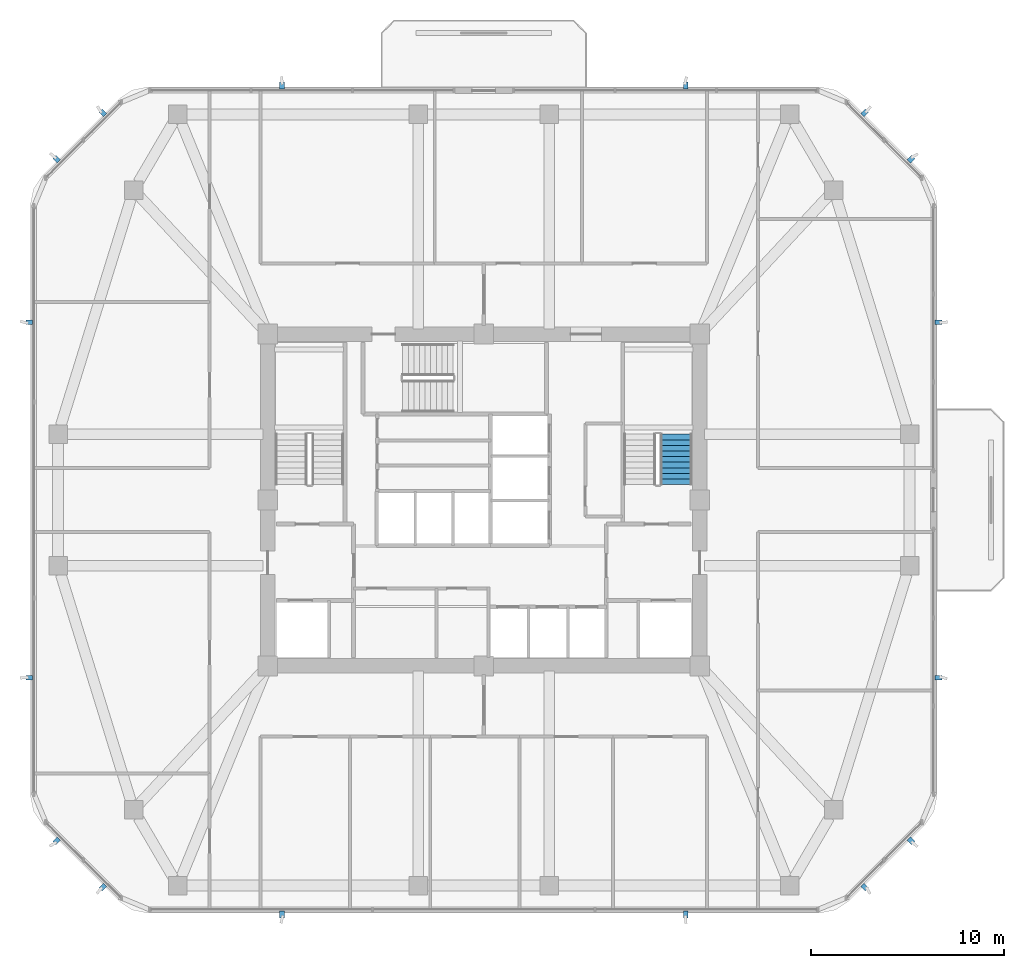
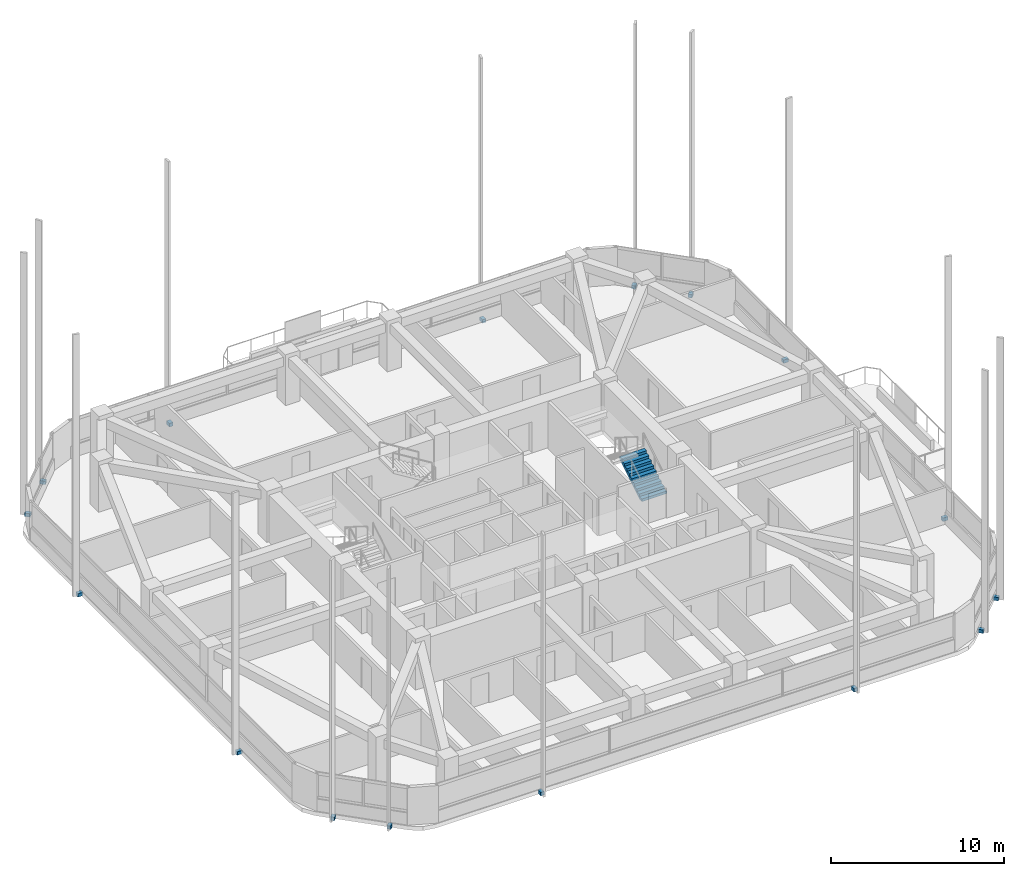
# One storey, part 11 of 14: 16 discrete accessories, 1 stair flight, 1 element without a shape of its own.
"""IFC4 building model written with IfcOpenShell, lengths in metres."""

from ifc_helpers import new_model, si_unit, derived_unit, direction, frame, origin, origin_2d, place, context, subcontext, project, spatial, polyline, rectangle, outline, extrude, material, type_object, element, aggregate, save


model = new_model("IFC4")

# Units and contexts
model_context = context("Model", 3, precision=1e-05, world=origin(), true_north=direction((0.0, 1.0)))
body_context = subcontext(model_context, "Body", "Model", "MODEL_VIEW")
ifc_project = project(units=[si_unit("LENGTHUNIT", "METRE"), si_unit("AREAUNIT", "SQUARE_METRE"), si_unit("VOLUMEUNIT", "CUBIC_METRE"), si_unit("PLANEANGLEUNIT", "RADIAN"), si_unit("MASSUNIT", "GRAM", prefix="KILO"), derived_unit("THERMALTRANSMITTANCEUNIT", [(si_unit("POWERUNIT", "WATT"), 1), (si_unit("LENGTHUNIT", "METRE"), -2), (si_unit("THERMODYNAMICTEMPERATUREUNIT", "KELVIN"), -1)])], contexts=[model_context])

# Site, building, storey
site_placement = place(None, origin())
site = spatial("IfcSite", under=ifc_project, at=site_placement, CompositionType="ELEMENT")
building_placement = place(site_placement, origin())
building = spatial("IfcBuilding", under=site, at=building_placement, Name="Koralith Skygarden Medical Center", CompositionType="ELEMENT")
storey_placement = place(building_placement, frame((0.0, 0.0, 174.419921875)))
storey = spatial("IfcBuildingStorey", under=building, at=storey_placement, Name="L45", CompositionType="ELEMENT", Elevation=174.419921875)

# Stair, stair flight
ifc_material_1 = material(Name="Concrete C45/55", Category="concrete")
stair_type = type_object("IfcStairType", Name="Core Exit Dogleg Concrete Stair", PredefinedType="HALF_TURN_STAIR", material=ifc_material_1)
stair_placement = place(storey_placement, origin())
stair = element("IfcStair", 1, at=stair_placement, inside=storey, type_object=stair_type, Name="L45 Smokeproof Exit Stair ST2", PredefinedType="HALF_TURN_STAIR")
stair_flight_type = type_object("IfcStairFlightType", Name="Core Exit Concrete Stair Flight 1650", PredefinedType="STRAIGHT", material=ifc_material_1)
stair_flight_placement = place(storey_placement, frame((46.97509765625, 26.699951171875, 0.0), z_axis=(0.0, 0.0, 1.0), x_axis=(0.0, 1.0, 0.0)))
stair_flight = element("IfcStairFlight", 2, at=stair_flight_placement, type_object=stair_flight_type, Name="ST2 flight 1", NumberOfRisers=10, NumberOfTreads=9, PredefinedType="STRAIGHT", RiserHeight=0.18, TreadLength=0.29, context=body_context, shape_type="SweptSolid", body=[
    extrude(outline(polyline([(0.0, 0.0), (0.0, 0.179931640625), (0.2900390625, 0.179931640625), (0.2900390625, 0.360107421875), (0.580078125, 0.360107421875), (0.580078125, 0.5400390625), (0.8701171875, 0.5400390625), (0.8701171875, 0.719970703125), (1.159912109375, 0.719970703125), (1.159912109375, 0.89990234375), (1.449951171875, 0.89990234375), (1.449951171875, 1.080078125), (1.739990234375, 1.080078125), (1.739990234375, 1.260009765625), (2.030029296875, 1.260009765625), (2.030029296875, 1.43994140625), (2.320068359375, 1.43994140625), (2.320068359375, 1.6201171875), (2.610107421875, 1.6201171875), (2.610107421875, 1.800048828125), (2.610107421875, 1.443603515625), (0.2841796875, 0.0), (0.0, 0.0)])), frame((0.0, 0.824951171875, 0.0), z_axis=(0.0, -1.0, 0.0), x_axis=(1.0, 0.0, 0.0)), (0.0, 0.0, 1.0), 1.64990234375),
])
aggregate(stair, [stair_flight])

# Discrete accessories
ifc_material_2 = material(Name="Steel ASTM A572 Grade 50", Category="steel")
discrete_accessory_type = type_object("IfcDiscreteAccessoryType", Name="Facade Fin Structural Anchor Bracket", PredefinedType="BRACKET", material=ifc_material_2)
for number, where, z_axis, x_axis, name in (
    (3, (26.5400390625, 4.419921875, -0.259765625), (0.0, 0.0, 1.0), (0.0, -1.0, 0.0), "L45 S Solar Fin Anchor Bracket 1"),
    (4, (47.4599609375, 4.419921875, -0.259765625), (0.0, 0.0, 1.0), (0.0, -1.0, 0.0), "L45 S Solar Fin Anchor Bracket 2"),
    (5, (56.741943359375, 5.843994140625, -0.259765625), (0.0, 0.0, 1.0), (0.707106781187, -0.707106781187, 0.0), "L45 SE Solar Fin Anchor Bracket 1"),
    (6, (59.139892578125, 8.241943359375, -0.259765625), (0.0, 0.0, 1.0), (0.707106781187, -0.707106781187, 0.0), "L45 SE Solar Fin Anchor Bracket 2"),
    (7, (60.56396484375, 16.68994140625, -0.259765625), (0.0, 0.0, 1.0), (1.0, 0.0, 0.0), "L45 E Solar Fin Anchor Bracket 1"),
    (8, (60.56396484375, 35.110107421875, -0.259765625), (0.0, 0.0, 1.0), (1.0, 0.0, 0.0), "L45 E Solar Fin Anchor Bracket 2"),
    (9, (59.139892578125, 43.55810546875, -0.259765625), (0.0, 0.0, 1.0), (0.707106781187, 0.707106781187, 0.0), "L45 NE Solar Fin Anchor Bracket 1"),
    (10, (56.741943359375, 45.9560546875, -0.259765625), (0.0, 0.0, 1.0), (0.707106781187, 0.707106781187, 0.0), "L45 NE Solar Fin Anchor Bracket 2"),
    (11, (47.4599609375, 47.3798828125, -0.259765625), (0.0, 0.0, 1.0), (0.0, 1.0, 0.0), "L45 N Solar Fin Anchor Bracket 1"),
    (12, (26.5400390625, 47.3798828125, -0.259765625), (0.0, 0.0, 1.0), (0.0, 1.0, 0.0), "L45 N Solar Fin Anchor Bracket 2"),
    (13, (17.258056640625, 45.9560546875, -0.259765625), (0.0, 0.0, 1.0), (-0.707106781187, 0.707106781187, 0.0), "L45 NW Solar Fin Anchor Bracket 1"),
    (14, (14.860107421875, 43.55810546875, -0.259765625), (0.0, 0.0, 1.0), (-0.707106781187, 0.707106781187, 0.0), "L45 NW Solar Fin Anchor Bracket 2"),
    (15, (13.43603515625, 35.110107421875, -0.259765625), (0.0, 0.0, 1.0), (-1.0, 0.0, 0.0), "L45 W Solar Fin Anchor Bracket 1"),
    (16, (13.43603515625, 16.68994140625, -0.259765625), (0.0, 0.0, 1.0), (-1.0, 0.0, 0.0), "L45 W Solar Fin Anchor Bracket 2"),
    (17, (14.860107421875, 8.241943359375, -0.259765625), (0.0, 0.0, 1.0), (-0.707106781187, -0.707106781187, 0.0), "L45 SW Solar Fin Anchor Bracket 1"),
    (18, (17.258056640625, 5.843994140625, -0.259765625), (0.0, 0.0, 1.0), (-0.707106781187, -0.707106781187, 0.0), "L45 SW Solar Fin Anchor Bracket 2"),
):
    element("IfcDiscreteAccessory", number, at=place(storey_placement, frame(where, z_axis=z_axis, x_axis=x_axis)), inside=storey, type_object=discrete_accessory_type, Name=name, PredefinedType="BRACKET", context=body_context, shape_type="SweptSolid", body=[
        extrude(rectangle(XDim=0.340087890625, YDim=0.239990234375, at=origin_2d()), origin(), (0.0, 0.0, 1.0), 0.239990234375),
    ])

save(model, "model.ifc")
